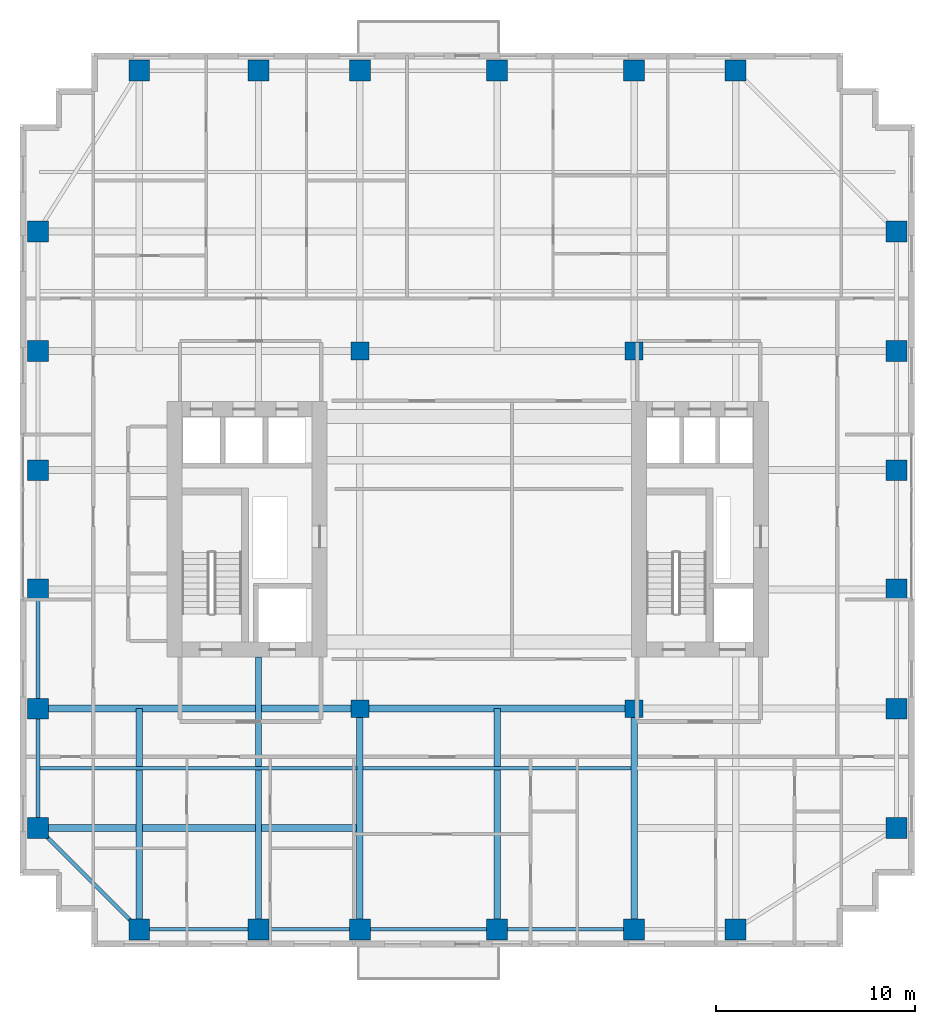
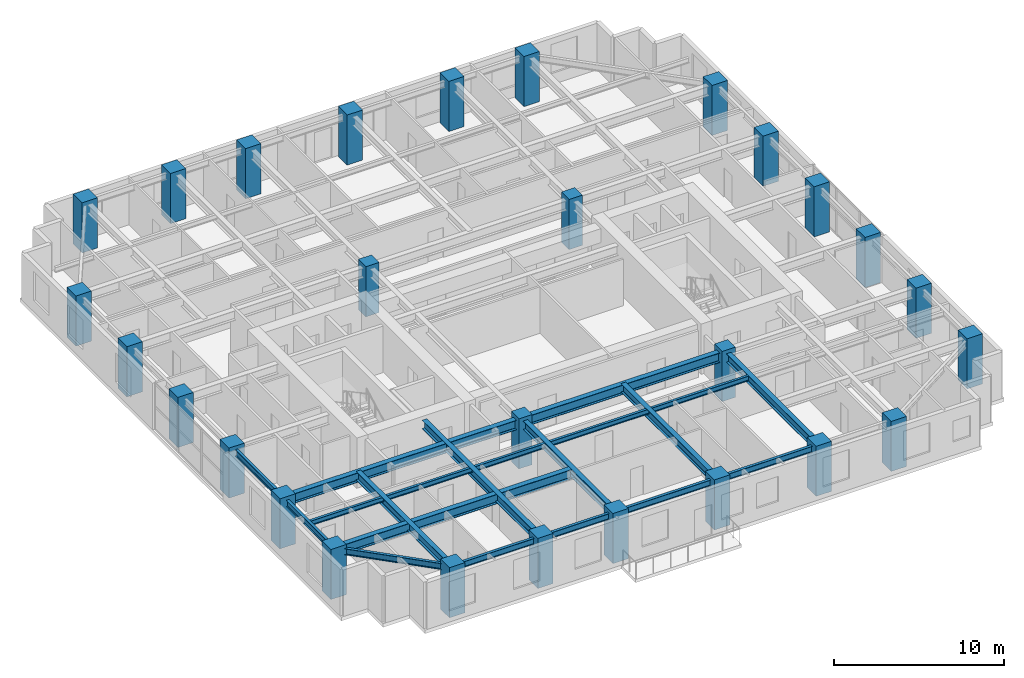
# One storey, part 1 of 13: 28 columns, 17 beams.
"""IFC4 building model written with IfcOpenShell, lengths in metres."""

from ifc_helpers import new_model, si_unit, direction, frame, origin, origin_2d, place, context, subcontext, project, spatial, rectangle, i_section, extrude, source, transform, mapped, material, material_profile, profile_set, type_object, element, save


model = new_model("IFC4")

# Units and contexts
model_context = context("Model", 3, precision=1e-05, world=origin(), true_north=direction((0.0, 1.0)))
body_context = subcontext(model_context, "Body", "Model", "MODEL_VIEW")
ifc_project = project(units=[si_unit("LENGTHUNIT", "METRE"), si_unit("AREAUNIT", "SQUARE_METRE"), si_unit("VOLUMEUNIT", "CUBIC_METRE"), si_unit("PLANEANGLEUNIT", "RADIAN"), si_unit("MASSUNIT", "GRAM", prefix="KILO")], contexts=[model_context])

# Site, building, storey
site_placement = place(None, origin())
site = spatial("IfcSite", under=ifc_project, at=site_placement, CompositionType="ELEMENT")
building_placement = place(site_placement, origin())
building = spatial("IfcBuilding", under=site, at=building_placement, Name="Khoralis Quay Care Tower", CompositionType="ELEMENT")
storey_placement = place(building_placement, frame((0.0, 0.0, 87.300048828125)))
storey = spatial("IfcBuildingStorey", under=building, at=storey_placement, Name="L22", CompositionType="ELEMENT", Elevation=87.300048828125)

# Columns
ifc_material_1 = material(Name="Concrete C65/80", Category="concrete")
ifc_material_profile_1 = material_profile(ifc_material_1, rectangle(XDim=1.050048828125, YDim=1.050048828125, at=origin_2d()), Name="Concrete C65/80")
ifc_profile_set_1 = profile_set([ifc_material_profile_1], Name="Concrete C65/80")
column_type_1 = type_object("IfcColumnType", Name="COL-C1050", PredefinedType="COLUMN", material=ifc_profile_set_1)
shared_shape_1 = source(origin(), body_context, "Body", "SweptSolid", [
    extrude(rectangle(XDim=1.050048828125, YDim=1.050048828125, at=origin_2d()), origin(), (0.0, 0.0, 1.0), 3.599853515625),
])
for number, where, z_axis, x_axis, name in (
    (1, (6.0, 0.89990234375, 0.0), (0.0, 0.0, 1.0), (1.0, 0.0, 0.0), "COL-TWR-L22-01"),
    (2, (6.0, 44.10009765625, 0.0), (0.0, 0.0, 1.0), (1.0, 0.0, 0.0), "COL-TWR-L22-02"),
    (3, (12.0, 0.89990234375, 0.0), (0.0, 0.0, 1.0), (1.0, 0.0, 0.0), "COL-TWR-L22-03"),
    (4, (12.0, 44.10009765625, 0.0), (0.0, 0.0, 1.0), (1.0, 0.0, 0.0), "COL-TWR-L22-04"),
    (5, (17.10009765625, 0.89990234375, 0.0), (0.0, 0.0, 1.0), (1.0, 0.0, 0.0), "COL-TWR-L22-05"),
    (6, (17.10009765625, 44.10009765625, 0.0), (0.0, 0.0, 1.0), (1.0, 0.0, 0.0), "COL-TWR-L22-06"),
    (7, (24.0, 0.89990234375, 0.0), (0.0, 0.0, 1.0), (1.0, 0.0, 0.0), "COL-TWR-L22-07"),
    (8, (24.0, 44.10009765625, 0.0), (0.0, 0.0, 1.0), (1.0, 0.0, 0.0), "COL-TWR-L22-08"),
    (9, (30.89990234375, 0.89990234375, 0.0), (0.0, 0.0, 1.0), (1.0, 0.0, 0.0), "COL-TWR-L22-09"),
    (10, (30.89990234375, 44.10009765625, 0.0), (0.0, 0.0, 1.0), (1.0, 0.0, 0.0), "COL-TWR-L22-10"),
    (11, (36.0, 0.89990234375, 0.0), (0.0, 0.0, 1.0), (1.0, 0.0, 0.0), "COL-TWR-L22-11"),
    (12, (36.0, 44.10009765625, 0.0), (0.0, 0.0, 1.0), (1.0, 0.0, 0.0), "COL-TWR-L22-12"),
    (13, (0.89990234375, 6.0, 0.0), (0.0, 0.0, 1.0), (1.0, 0.0, 0.0), "COL-TWR-L22-13"),
    (14, (44.10009765625, 6.0, 0.0), (0.0, 0.0, 1.0), (1.0, 0.0, 0.0), "COL-TWR-L22-14"),
    (15, (0.89990234375, 12.0, 0.0), (0.0, 0.0, 1.0), (1.0, 0.0, 0.0), "COL-TWR-L22-15"),
    (16, (44.10009765625, 12.0, 0.0), (0.0, 0.0, 1.0), (1.0, 0.0, 0.0), "COL-TWR-L22-16"),
    (17, (0.89990234375, 18.0, 0.0), (0.0, 0.0, 1.0), (1.0, 0.0, 0.0), "COL-TWR-L22-17"),
    (18, (44.10009765625, 18.0, 0.0), (0.0, 0.0, 1.0), (1.0, 0.0, 0.0), "COL-TWR-L22-18"),
    (19, (0.89990234375, 24.0, 0.0), (0.0, 0.0, 1.0), (1.0, 0.0, 0.0), "COL-TWR-L22-19"),
    (20, (44.10009765625, 24.0, 0.0), (0.0, 0.0, 1.0), (1.0, 0.0, 0.0), "COL-TWR-L22-20"),
    (21, (0.89990234375, 30.0, 0.0), (0.0, 0.0, 1.0), (1.0, 0.0, 0.0), "COL-TWR-L22-21"),
    (22, (44.10009765625, 30.0, 0.0), (0.0, 0.0, 1.0), (1.0, 0.0, 0.0), "COL-TWR-L22-22"),
    (23, (0.89990234375, 36.0, 0.0), (0.0, 0.0, 1.0), (1.0, 0.0, 0.0), "COL-TWR-L22-23"),
    (24, (44.10009765625, 36.0, 0.0), (0.0, 0.0, 1.0), (1.0, 0.0, 0.0), "COL-TWR-L22-24"),
):
    element("IfcColumn", number, at=place(storey_placement, frame(where, z_axis=z_axis, x_axis=x_axis)), inside=storey, type_object=column_type_1, Name=name, PredefinedType="COLUMN", context=body_context, shape_type="MappedRepresentation", body=[
        mapped(shared_shape_1, transform((0.0, 0.0, 0.0), scale=1.0)),
    ])
ifc_material_profile_2 = material_profile(ifc_material_1, rectangle(XDim=0.89990234375, YDim=0.89990234375, at=origin_2d()), Name="Concrete C65/80")
ifc_profile_set_2 = profile_set([ifc_material_profile_2], Name="Concrete C65/80")
column_type_2 = type_object("IfcColumnType", Name="COL-C900", PredefinedType="COLUMN", material=ifc_profile_set_2)
shared_shape_2 = source(origin(), body_context, "Body", "SweptSolid", [
    extrude(rectangle(XDim=0.89990234375, YDim=0.89990234375, at=origin_2d()), origin(), (0.0, 0.0, 1.0), 3.599853515625),
])
for number, where, z_axis, x_axis, name in (
    (25, (17.10009765625, 12.0, 0.0), (0.0, 0.0, 1.0), (1.0, 0.0, 0.0), "COL-TWR-L22-25"),
    (26, (17.10009765625, 30.0, 0.0), (0.0, 0.0, 1.0), (1.0, 0.0, 0.0), "COL-TWR-L22-26"),
    (27, (30.89990234375, 12.0, 0.0), (0.0, 0.0, 1.0), (1.0, 0.0, 0.0), "COL-TWR-L22-27"),
    (28, (30.89990234375, 30.0, 0.0), (0.0, 0.0, 1.0), (1.0, 0.0, 0.0), "COL-TWR-L22-28"),
):
    element("IfcColumn", number, at=place(storey_placement, frame(where, z_axis=z_axis, x_axis=x_axis)), inside=storey, type_object=column_type_2, Name=name, PredefinedType="COLUMN", context=body_context, shape_type="MappedRepresentation", body=[
        mapped(shared_shape_2, transform((0.0, 0.0, 0.0), scale=1.0)),
    ])

# Beams
ifc_material_2 = material(Name="Steel S355", Category="steel")
ifc_material_profile_3 = material_profile(ifc_material_2, i_section(OverallWidth=0.18994140625, OverallDepth=0.449951171875, WebThickness=0.009521484375, FlangeThickness=0.0146484375, FilletRadius=0.02099609375, at=origin_2d()), Name="Steel S355")
ifc_profile_set_3 = profile_set([ifc_material_profile_3], Name="Steel S355")
beam_type_1 = type_object("IfcBeamType", Name="BM-IPE450", PredefinedType="SPANDREL", material=ifc_profile_set_3)
shared_shape_3 = source(origin(), body_context, "Body", "SweptSolid", [
    extrude(i_section(OverallWidth=0.18994140625, OverallDepth=0.449951171875, WebThickness=0.009521484375, FlangeThickness=0.0146484375, FilletRadius=0.02099609375, at=origin_2d()), origin(), (0.0, 0.0, 1.0), 6.0),
])
for number, where, z_axis, x_axis, name in (
    (29, (6.0, 0.89990234375, 3.114990234375), (1.0, 0.0, 0.0), (0.0, 1.0, 0.0), "BM-TSP-L22-01"),
    (30, (0.89990234375, 6.0, 3.114990234375), (0.0, 1.0, 0.0), (-1.0, 0.0, 0.0), "BM-TSP-L22-11"),
    (31, (0.89990234375, 12.0, 3.114990234375), (0.0, 1.0, 0.0), (-1.0, 0.0, 0.0), "BM-TSP-L22-12"),
):
    element("IfcBeam", number, at=place(storey_placement, frame(where, z_axis=z_axis, x_axis=x_axis)), inside=storey, type_object=beam_type_1, Name=name, PredefinedType="SPANDREL", context=body_context, shape_type="MappedRepresentation", body=[
        mapped(shared_shape_3, transform((0.0, 0.0, 0.0), scale=1.0)),
    ])
shared_shape_4 = source(origin(), body_context, "Body", "SweptSolid", [
    extrude(i_section(OverallWidth=0.18994140625, OverallDepth=0.449951171875, WebThickness=0.009521484375, FlangeThickness=0.0146484375, FilletRadius=0.02099609375, at=origin_2d()), origin(), (0.0, 0.0, 1.0), 5.10009765625),
])
beam_1_placement = place(storey_placement, frame((12.0, 0.89990234375, 3.114990234375), z_axis=(1.0, 0.0, 0.0), x_axis=(0.0, 1.0, 0.0)))
element("IfcBeam", 32, at=beam_1_placement, inside=storey, type_object=beam_type_1, Name="BM-TSP-L22-02", PredefinedType="SPANDREL", context=body_context, shape_type="MappedRepresentation", body=[
    mapped(shared_shape_4, transform((0.0, 0.0, 0.0), scale=1.0)),
])
shared_shape_5 = source(origin(), body_context, "Body", "SweptSolid", [
    extrude(i_section(OverallWidth=0.18994140625, OverallDepth=0.449951171875, WebThickness=0.009521484375, FlangeThickness=0.0146484375, FilletRadius=0.02099609375, at=origin_2d()), origin(), (0.0, 0.0, 1.0), 6.89990234375),
])
for number, where, z_axis, x_axis, name in (
    (33, (17.10009765625, 0.89990234375, 3.114990234375), (1.0, 0.0, 0.0), (0.0, 1.0, 0.0), "BM-TSP-L22-03"),
    (34, (24.0, 0.89990234375, 3.114990234375), (1.0, 0.0, 0.0), (0.0, 1.0, 0.0), "BM-TSP-L22-04"),
):
    element("IfcBeam", number, at=place(storey_placement, frame(where, z_axis=z_axis, x_axis=x_axis)), inside=storey, type_object=beam_type_1, Name=name, PredefinedType="SPANDREL", context=body_context, shape_type="MappedRepresentation", body=[
        mapped(shared_shape_5, transform((0.0, 0.0, 0.0), scale=1.0)),
    ])
shared_shape_6 = source(origin(), body_context, "Body", "SweptSolid", [
    extrude(i_section(OverallWidth=0.18994140625, OverallDepth=0.449951171875, WebThickness=0.009521484375, FlangeThickness=0.0146484375, FilletRadius=0.02099609375, at=origin_2d()), origin(), (0.0, 0.0, 1.0), 7.212646484375),
])
beam_2_placement = place(storey_placement, frame((6.0, 0.89990234375, 3.114990234375), z_axis=(-0.707106781187, 0.707106781187, 0.0), x_axis=(-0.707106781187, -0.707106781187, 0.0)))
element("IfcBeam", 35, at=beam_2_placement, inside=storey, type_object=beam_type_1, Name="BM-TCR-L22-21", PredefinedType="SPANDREL", context=body_context, shape_type="MappedRepresentation", body=[
    mapped(shared_shape_6, transform((0.0, 0.0, 0.0), scale=1.0)),
])
ifc_material_profile_4 = material_profile(ifc_material_2, i_section(OverallWidth=0.35498046875, OverallDepth=0.695068359375, WebThickness=0.015380859375, FlangeThickness=0.02490234375, FilletRadius=0.02001953125, at=origin_2d()), Name="Steel S355")
ifc_profile_set_4 = profile_set([ifc_material_profile_4], Name="Steel S355")
beam_type_2 = type_object("IfcBeamType", Name="BM-W690X217", PredefinedType="BEAM", material=ifc_profile_set_4)
shared_shape_7 = source(origin(), body_context, "Body", "SweptSolid", [
    extrude(i_section(OverallWidth=0.35498046875, OverallDepth=0.695068359375, WebThickness=0.015380859375, FlangeThickness=0.02490234375, FilletRadius=0.02001953125, at=origin_2d()), origin(), (0.0, 0.0, 1.0), 16.049560546875),
])
beam_3_placement = place(storey_placement, frame((0.89990234375, 6.0, 2.992431640625), z_axis=(1.0, 0.0, 0.0), x_axis=(0.0, 1.0, 0.0)))
element("IfcBeam", 36, at=beam_3_placement, inside=storey, type_object=beam_type_2, Name="BM-TGXW-L22-60", PredefinedType="BEAM", context=body_context, shape_type="MappedRepresentation", body=[
    mapped(shared_shape_7, transform((0.0, 0.0, 0.0), scale=1.0)),
])
shared_shape_8 = source(origin(), body_context, "Body", "SweptSolid", [
    extrude(i_section(OverallWidth=0.35498046875, OverallDepth=0.695068359375, WebThickness=0.015380859375, FlangeThickness=0.02490234375, FilletRadius=0.02001953125, at=origin_2d()), origin(), (0.0, 0.0, 1.0), 16.2001953125),
])
beam_4_placement = place(storey_placement, frame((0.89990234375, 12.0, 2.992431640625), z_axis=(1.0, 0.0, 0.0), x_axis=(0.0, 1.0, 0.0)))
element("IfcBeam", 37, at=beam_4_placement, inside=storey, type_object=beam_type_2, Name="BM-TGXW-L22-120", PredefinedType="BEAM", context=body_context, shape_type="MappedRepresentation", body=[
    mapped(shared_shape_8, transform((0.0, 0.0, 0.0), scale=1.0)),
])
shared_shape_9 = source(origin(), body_context, "Body", "SweptSolid", [
    extrude(i_section(OverallWidth=0.35498046875, OverallDepth=0.695068359375, WebThickness=0.015380859375, FlangeThickness=0.02490234375, FilletRadius=0.02001953125, at=origin_2d()), origin(), (0.0, 0.0, 1.0), 13.7998046875),
])
beam_5_placement = place(storey_placement, frame((17.10009765625, 12.0, 2.992431640625), z_axis=(1.0, 0.0, 0.0), x_axis=(0.0, 1.0, 0.0)))
element("IfcBeam", 38, at=beam_5_placement, inside=storey, type_object=beam_type_2, Name="BM-TGCC-L22-120", PredefinedType="BEAM", context=body_context, shape_type="MappedRepresentation", body=[
    mapped(shared_shape_9, transform((0.0, 0.0, 0.0), scale=1.0)),
])
ifc_material_profile_5 = material_profile(ifc_material_2, i_section(OverallWidth=0.324951171875, OverallDepth=0.615966796875, WebThickness=0.013916015625, FlangeThickness=0.021484375, FilletRadius=0.01806640625, at=origin_2d()), Name="Steel S355")
ifc_profile_set_5 = profile_set([ifc_material_profile_5], Name="Steel S355")
beam_type_3 = type_object("IfcBeamType", Name="BM-W610X174", PredefinedType="BEAM", material=ifc_profile_set_5)
shared_shape_10 = source(origin(), body_context, "Body", "SweptSolid", [
    extrude(i_section(OverallWidth=0.324951171875, OverallDepth=0.615966796875, WebThickness=0.013916015625, FlangeThickness=0.021484375, FilletRadius=0.01806640625, at=origin_2d()), origin(), (0.0, 0.0, 1.0), 11.10009765625),
])
for number, where, z_axis, x_axis, name in (
    (39, (6.0, 0.89990234375, 3.031982421875), (0.0, 1.0, 0.0), (-1.0, 0.0, 0.0), "BM-TGYS-L22-60"),
    (40, (17.10009765625, 0.89990234375, 3.031982421875), (0.0, 1.0, 0.0), (-1.0, 0.0, 0.0), "BM-TGYS-L22-171"),
    (41, (24.0, 0.89990234375, 3.031982421875), (0.0, 1.0, 0.0), (-1.0, 0.0, 0.0), "BM-TGYS-L22-240"),
    (42, (30.89990234375, 0.89990234375, 3.031982421875), (0.0, 1.0, 0.0), (-1.0, 0.0, 0.0), "BM-TGYS-L22-309"),
):
    element("IfcBeam", number, at=place(storey_placement, frame(where, z_axis=z_axis, x_axis=x_axis)), inside=storey, type_object=beam_type_3, Name=name, PredefinedType="BEAM", context=body_context, shape_type="MappedRepresentation", body=[
        mapped(shared_shape_10, transform((0.0, 0.0, 0.0), scale=1.0)),
    ])
ifc_material_profile_6 = material_profile(ifc_material_2, i_section(OverallWidth=0.1708984375, OverallDepth=0.35498046875, WebThickness=0.007080078125, FlangeThickness=0.01171875, FilletRadius=0.012939453125, at=origin_2d()), Name="Steel S355")
ifc_profile_set_6 = profile_set([ifc_material_profile_6], Name="Steel S355")
beam_type_4 = type_object("IfcBeamType", Name="BM-W360X51", PredefinedType="JOIST", material=ifc_profile_set_6)
shared_shape_11 = source(origin(), body_context, "Body", "SweptSolid", [
    extrude(i_section(OverallWidth=0.1708984375, OverallDepth=0.35498046875, WebThickness=0.007080078125, FlangeThickness=0.01171875, FilletRadius=0.012939453125, at=origin_2d()), origin(), (0.0, 0.0, 1.0), 15.968505859375),
])
beam_6_placement = place(storey_placement, frame((0.98095703125, 9.0, 3.162353515625), z_axis=(1.0, 0.0, 0.0), x_axis=(0.0, 1.0, 0.0)))
element("IfcBeam", 43, at=beam_6_placement, inside=storey, type_object=beam_type_4, Name="BM-TJS-L22-25", PredefinedType="JOIST", context=body_context, shape_type="MappedRepresentation", body=[
    mapped(shared_shape_11, transform((0.0, 0.0, 0.0), scale=1.0)),
])
shared_shape_12 = source(origin(), body_context, "Body", "SweptSolid", [
    extrude(i_section(OverallWidth=0.1708984375, OverallDepth=0.35498046875, WebThickness=0.007080078125, FlangeThickness=0.01171875, FilletRadius=0.012939453125, at=origin_2d()), origin(), (0.0, 0.0, 1.0), 13.4990234375),
])
beam_7_placement = place(storey_placement, frame((17.25048828125, 9.0, 3.162353515625), z_axis=(1.0, 0.0, 0.0), x_axis=(0.0, 1.0, 0.0)))
element("IfcBeam", 44, at=beam_7_placement, inside=storey, type_object=beam_type_4, Name="BM-TJS-L22-27", PredefinedType="JOIST", context=body_context, shape_type="MappedRepresentation", body=[
    mapped(shared_shape_12, transform((0.0, 0.0, 0.0), scale=1.0)),
])
shared_shape_13 = source(origin(), body_context, "Body", "SweptSolid", [
    extrude(i_section(OverallWidth=0.324951171875, OverallDepth=0.615966796875, WebThickness=0.013916015625, FlangeThickness=0.021484375, FilletRadius=0.01806640625, at=origin_2d()), origin(), (0.0, 0.0, 1.0), 13.7021484375),
])
beam_8_placement = place(storey_placement, frame((12.0, 0.89990234375, 3.031982421875), z_axis=(0.0, 1.0, 0.0), x_axis=(-1.0, 0.0, 0.0)))
element("IfcBeam", 45, at=beam_8_placement, inside=storey, type_object=beam_type_3, Name="BM-TGYS-L22-120", PredefinedType="BEAM", context=body_context, shape_type="MappedRepresentation", body=[
    mapped(shared_shape_13, transform((0.0, 0.0, 0.0), scale=1.0)),
])

save(model, "model.ifc")
